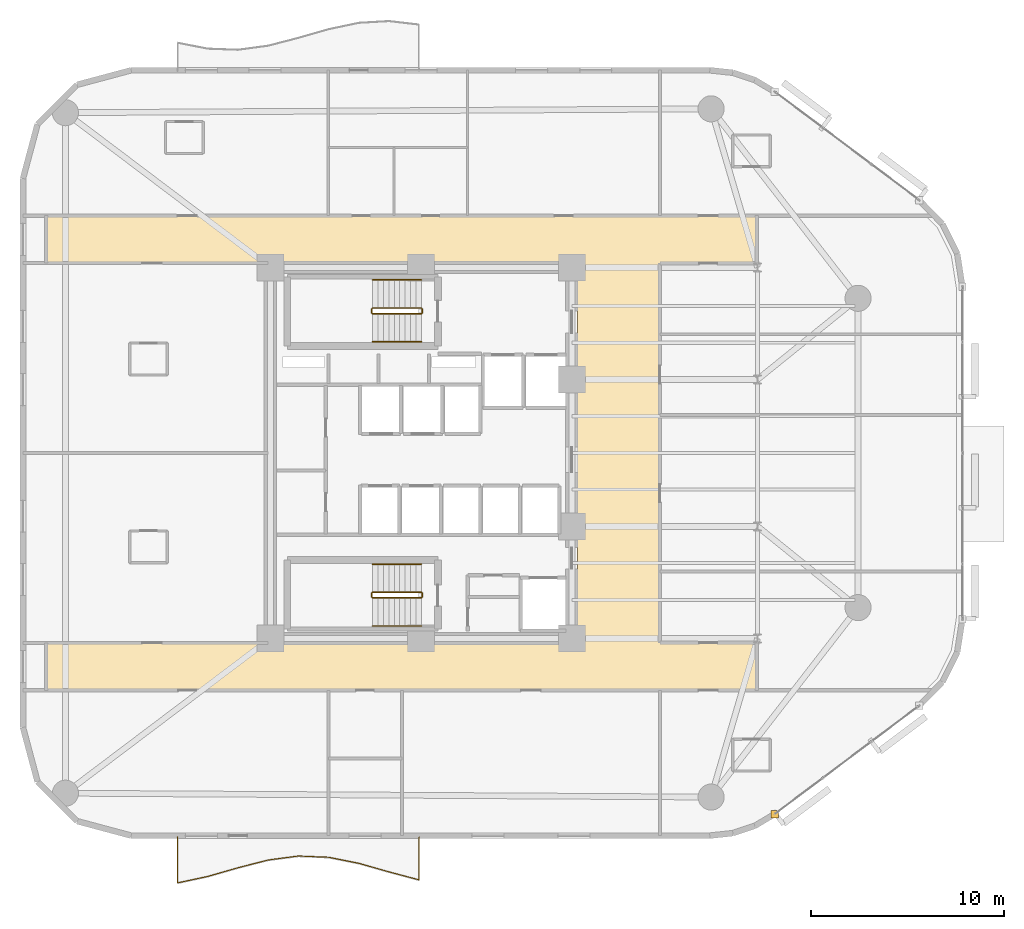
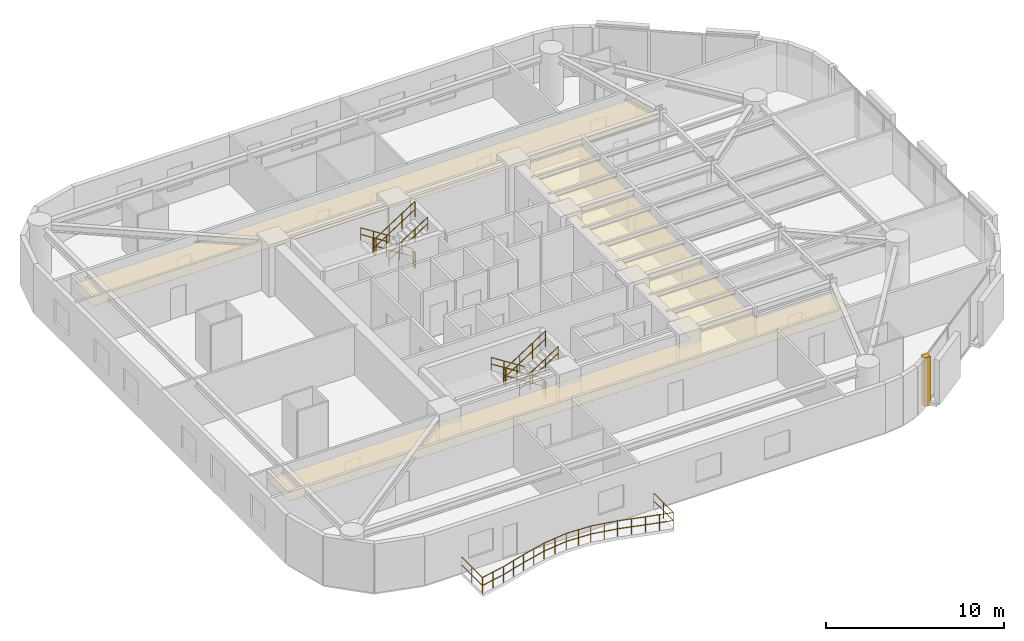
# One storey, part 14 of 15: 13 railings, 2 coverings.
"""IFC4 building model written with IfcOpenShell, lengths in metres."""

from ifc_helpers import new_model, si_unit, direction, frame, origin, origin_2d, place, context, subcontext, project, spatial, polyline, rectangle, circle, outline, extrude, material, layer, layer_set, type_object, element, save


model = new_model("IFC4")

# Units and contexts
model_context = context("Model", 3, precision=1e-05, world=origin(), true_north=direction((0.0, 1.0)))
body_context = subcontext(model_context, "Body", "Model", "MODEL_VIEW")
ifc_project = project(units=[si_unit("LENGTHUNIT", "METRE"), si_unit("AREAUNIT", "SQUARE_METRE"), si_unit("VOLUMEUNIT", "CUBIC_METRE"), si_unit("PLANEANGLEUNIT", "RADIAN"), si_unit("MASSUNIT", "GRAM", prefix="KILO")], contexts=[model_context])

# Site, building, storey
site_placement = place(None, origin())
site = spatial("IfcSite", under=ifc_project, at=site_placement, CompositionType="ELEMENT")
building_placement = place(site_placement, origin())
building = spatial("IfcBuilding", under=site, at=building_placement, Name="An Khanh Terracotta Commons", CompositionType="ELEMENT")
storey_placement = place(building_placement, frame((0.0, 0.0, 129.5)))
storey = spatial("IfcBuildingStorey", under=building, at=storey_placement, Name="L34", CompositionType="ELEMENT", Elevation=129.5)

# Coverings
ifc_material_1 = material(Name="Perforated Mineral-Fibre Acoustic Tile")
ifc_layer_1 = layer(ifc_material_1, 0.02001953125, Name="Perforated Mineral-Fibre Acoustic Tile")
ifc_layer_set_1 = layer_set([ifc_layer_1], Name="Perforated Mineral-Fibre Acoustic Tile")
covering_type_1 = type_object("IfcCoveringType", Name="CEIL-ACOUSTIC-18", PredefinedType="CEILING", material=ifc_layer_set_1)
covering_1_placement = place(storey_placement, frame((0.0, 0.0, 2.64990234375)))
element("IfcCovering", 1, at=covering_1_placement, inside=storey, type_object=covering_type_1, Name="L34 Corridor Ceiling", PredefinedType="CEILING", context=body_context, shape_type="SweptSolid", body=[
    extrude(outline(polyline([(37.5, 14.179931640625), (37.5, 33.820068359375), (10.0, 33.820068359375), (10.0, 36.280029296875), (37.5, 36.280029296875), (41.75, 36.280029296875), (46.75, 36.280029296875), (46.75, 33.820068359375), (41.75, 33.820068359375), (41.75, 14.179931640625), (46.75, 14.179931640625), (46.75, 11.719970703125), (41.75, 11.719970703125), (37.5, 11.719970703125), (10.0, 11.719970703125), (10.0, 14.179931640625), (37.5, 14.179931640625)])), origin(), (0.0, 0.0, 1.0), 0.02001953125),
])
ifc_material_2 = material(Name="Fired Terracotta Rainscreen Cladding", Category="masonry")
ifc_layer_2 = layer(ifc_material_2, 0.080078125, Name="Fired Terracotta Rainscreen Cladding")
ifc_layer_set_2 = layer_set([ifc_layer_2], Name="Fired Terracotta Rainscreen Cladding")
covering_type_2 = type_object("IfcCoveringType", Name="COV-JAMB-TERRA", PredefinedType="CLADDING", material=ifc_layer_set_2)
covering_2_placement = place(storey_placement, frame((47.693115234375, 5.320068359375, 0.0), z_axis=(0.0, 0.0, 1.0), x_axis=(1.0, 0.0, 0.0)))
element("IfcCovering", 2, at=covering_2_placement, inside=storey, type_object=covering_type_2, Name="L34 CW-02 Curtain-Wall Jamb Closure JA", PredefinedType="CLADDING", context=body_context, shape_type="SweptSolid", body=[
    extrude(rectangle(XDim=0.3798828125, YDim=0.3798828125, at=origin_2d()), origin(), (0.0, 0.0, 1.0), 3.360107421875),
])

# Railings
ifc_material_3 = material(Name="Brushed Stainless Steel 316", Category="steel")
railing_type_1 = type_object("IfcRailingType", Name="RAIL-BALUSTRADE-1100", PredefinedType="BALUSTRADE", material=ifc_material_3)
railing_1_placement = place(storey_placement, frame((16.800048828125, 4.139892578125, 0.0)))
element("IfcRailing", 3, at=railing_1_placement, inside=storey, type_object=railing_type_1, Name="L34 S Wave Balcony Guard Balustrade", PredefinedType="BALUSTRADE", context=body_context, shape_type="SweptSolid", body=[
    extrude(circle(Radius=0.02392578125, at=origin_2d()), frame((0.0, 0.0, 1.076171875), z_axis=(0.0, -1.0, 0.0), x_axis=(1.0, 0.0, 0.0)), (0.0, 0.0, 1.0), 2.3798828125),
    extrude(circle(Radius=0.02392578125, at=origin_2d()), frame((0.0, 0.0, 0.52587890625), z_axis=(0.0, -1.0, 0.0), x_axis=(1.0, 0.0, 0.0)), (0.0, 0.0, 1.0), 2.3798828125),
    extrude(circle(Radius=0.02392578125, at=origin_2d()), frame((0.0, -2.3798828125, 1.076171875), z_axis=(0.977797943615, 0.209549949803, 0.0), x_axis=(-0.209549949803, 0.977797943615, 0.0)), (0.0, 0.0, 1.0), 1.598388671875),
    extrude(circle(Radius=0.02392578125, at=origin_2d()), frame((0.0, -2.3798828125, 0.52587890625), z_axis=(0.977797943615, 0.209549949803, 0.0), x_axis=(-0.209549949803, 0.977797943615, 0.0)), (0.0, 0.0, 1.0), 1.598388671875),
    extrude(circle(Radius=0.02392578125, at=origin_2d()), frame((1.56298828125, -2.044921875, 1.076171875), z_axis=(0.961086255424, 0.27624845635, 0.0), x_axis=(-0.27624845635, 0.961086255424, 0.0)), (0.0, 0.0, 1.0), 1.625244140625),
    extrude(circle(Radius=0.02392578125, at=origin_2d()), frame((1.56298828125, -2.044921875, 0.52587890625), z_axis=(0.961086255424, 0.27624845635, 0.0), x_axis=(-0.27624845635, 0.961086255424, 0.0)), (0.0, 0.0, 1.0), 1.625244140625),
    extrude(circle(Radius=0.02392578125, at=origin_2d()), frame((3.125, -1.595947265625, 1.076171875), z_axis=(0.968610642135, 0.248582831151, 0.0), x_axis=(-0.248582831151, 0.968610642135, 0.0)), (0.0, 0.0, 1.0), 1.613525390625),
    extrude(circle(Radius=0.02392578125, at=origin_2d()), frame((3.125, -1.595947265625, 0.52587890625), z_axis=(0.968610642135, 0.248582831151, 0.0), x_axis=(-0.248582831151, 0.968610642135, 0.0)), (0.0, 0.0, 1.0), 1.613525390625),
    extrude(circle(Radius=0.02392578125, at=origin_2d()), frame((4.68798828125, -1.19482421875, 1.076171875), z_axis=(0.991511168272, 0.13002154895, 0.0), x_axis=(-0.13002154895, 0.991511168272, 0.0)), (0.0, 0.0, 1.0), 1.575439453125),
    extrude(circle(Radius=0.02392578125, at=origin_2d()), frame((4.68798828125, -1.19482421875, 0.52587890625), z_axis=(0.991511168272, 0.13002154895, 0.0), x_axis=(-0.13002154895, 0.991511168272, 0.0)), (0.0, 0.0, 1.0), 1.575439453125),
    extrude(circle(Radius=0.02392578125, at=origin_2d()), frame((6.25, -0.989990234375, 1.076171875), z_axis=(0.999137934886, -0.041513697388, 0.0), x_axis=(0.041513697388, 0.999137934886, 0.0)), (0.0, 0.0, 1.0), 1.564453125),
    extrude(circle(Radius=0.02392578125, at=origin_2d()), frame((6.25, -0.989990234375, 0.52587890625), z_axis=(0.999137934886, -0.041513697388, 0.0), x_axis=(0.041513697388, 0.999137934886, 0.0)), (0.0, 0.0, 1.0), 1.564453125),
    extrude(circle(Radius=0.02392578125, at=origin_2d()), frame((7.81298828125, -1.054931640625, 1.076171875), z_axis=(0.980745409162, -0.195290661343, 0.0), x_axis=(0.195290661343, 0.980745409162, 0.0)), (0.0, 0.0, 1.0), 1.5927734375),
    extrude(circle(Radius=0.02392578125, at=origin_2d()), frame((7.81298828125, -1.054931640625, 0.52587890625), z_axis=(0.980745409162, -0.195290661343, 0.0), x_axis=(0.195290661343, 0.980745409162, 0.0)), (0.0, 0.0, 1.0), 1.5927734375),
    extrude(circle(Radius=0.02392578125, at=origin_2d()), frame((9.375, -1.365966796875, 1.076171875), z_axis=(0.961964976531, -0.273172809643, 0.0), x_axis=(0.273172809643, 0.961964976531, 0.0)), (0.0, 0.0, 1.0), 1.624755859375),
    extrude(circle(Radius=0.02392578125, at=origin_2d()), frame((9.375, -1.365966796875, 0.52587890625), z_axis=(0.961964976531, -0.273172809643, 0.0), x_axis=(0.273172809643, 0.961964976531, 0.0)), (0.0, 0.0, 1.0), 1.624755859375),
    extrude(circle(Radius=0.02392578125, at=origin_2d()), frame((10.93798828125, -1.809814453125, 1.076171875), z_axis=(0.966465212691, -0.256797571362, 0.0), x_axis=(0.256797571362, 0.966465212691, 0.0)), (0.0, 0.0, 1.0), 1.6162109375),
    extrude(circle(Radius=0.02392578125, at=origin_2d()), frame((10.93798828125, -1.809814453125, 0.52587890625), z_axis=(0.966465212691, -0.256797571362, 0.0), x_axis=(0.256797571362, 0.966465212691, 0.0)), (0.0, 0.0, 1.0), 1.6162109375),
    extrude(circle(Radius=0.02392578125, at=origin_2d()), frame((12.5, -2.224853515625, 1.076171875), z_axis=(0.0, 1.0, 0.0), x_axis=(-1.0, 0.0, 0.0)), (0.0, 0.0, 1.0), 2.224853515625),
    extrude(circle(Radius=0.02392578125, at=origin_2d()), frame((12.5, -2.224853515625, 0.52587890625), z_axis=(0.0, 1.0, 0.0), x_axis=(-1.0, 0.0, 0.0)), (0.0, 0.0, 1.0), 2.224853515625),
    extrude(circle(Radius=0.02099609375, at=origin_2d()), origin(), (0.0, 0.0, 1.0), 1.052001953125),
    extrude(circle(Radius=0.02099609375, at=origin_2d()), frame((0.0, -1.18994140625, 0.0)), (0.0, 0.0, 1.0), 1.052001953125),
    extrude(circle(Radius=0.02099609375, at=origin_2d()), frame((0.0, -2.3798828125, 0.0)), (0.0, 0.0, 1.0), 1.052001953125),
    extrude(circle(Radius=0.02099609375, at=origin_2d()), frame((0.781494140625, -2.21240234375, 0.0)), (0.0, 0.0, 1.0), 1.052001953125),
    extrude(circle(Radius=0.02099609375, at=origin_2d()), frame((1.56298828125, -2.044921875, 0.0)), (0.0, 0.0, 1.0), 1.052001953125),
    extrude(circle(Radius=0.02099609375, at=origin_2d()), frame((2.343994140625, -1.8203125, 0.0)), (0.0, 0.0, 1.0), 1.052001953125),
    extrude(circle(Radius=0.02099609375, at=origin_2d()), frame((3.125, -1.595947265625, 0.0)), (0.0, 0.0, 1.0), 1.052001953125),
    extrude(circle(Radius=0.02099609375, at=origin_2d()), frame((3.906494140625, -1.3955078125, 0.0)), (0.0, 0.0, 1.0), 1.052001953125),
    extrude(circle(Radius=0.02099609375, at=origin_2d()), frame((4.68798828125, -1.19482421875, 0.0)), (0.0, 0.0, 1.0), 1.052001953125),
    extrude(circle(Radius=0.02099609375, at=origin_2d()), frame((5.468994140625, -1.09228515625, 0.0)), (0.0, 0.0, 1.0), 1.052001953125),
    extrude(circle(Radius=0.02099609375, at=origin_2d()), frame((6.25, -0.989990234375, 0.0)), (0.0, 0.0, 1.0), 1.052001953125),
    extrude(circle(Radius=0.02099609375, at=origin_2d()), frame((7.031494140625, -1.0224609375, 0.0)), (0.0, 0.0, 1.0), 1.052001953125),
    extrude(circle(Radius=0.02099609375, at=origin_2d()), frame((7.81298828125, -1.054931640625, 0.0)), (0.0, 0.0, 1.0), 1.052001953125),
    extrude(circle(Radius=0.02099609375, at=origin_2d()), frame((8.593994140625, -1.21044921875, 0.0)), (0.0, 0.0, 1.0), 1.052001953125),
    extrude(circle(Radius=0.02099609375, at=origin_2d()), frame((9.375, -1.365966796875, 0.0)), (0.0, 0.0, 1.0), 1.052001953125),
    extrude(circle(Radius=0.02099609375, at=origin_2d()), frame((10.156494140625, -1.587890625, 0.0)), (0.0, 0.0, 1.0), 1.052001953125),
    extrude(circle(Radius=0.02099609375, at=origin_2d()), frame((10.93798828125, -1.809814453125, 0.0)), (0.0, 0.0, 1.0), 1.052001953125),
    extrude(circle(Radius=0.02099609375, at=origin_2d()), frame((11.718994140625, -2.017333984375, 0.0)), (0.0, 0.0, 1.0), 1.052001953125),
    extrude(circle(Radius=0.02099609375, at=origin_2d()), frame((12.5, -2.224853515625, 0.0)), (0.0, 0.0, 1.0), 1.052001953125),
    extrude(circle(Radius=0.02099609375, at=origin_2d()), frame((12.5, -1.1123046875, 0.0)), (0.0, 0.0, 1.0), 1.052001953125),
    extrude(circle(Radius=0.02099609375, at=origin_2d()), frame((12.5, 0.0, 0.0)), (0.0, 0.0, 1.0), 1.052001953125),
])
railing_type_2 = type_object("IfcRailingType", Name="RAIL-HANDRAIL-900", PredefinedType="HANDRAIL", material=ifc_material_3)
railing_2_placement = place(storey_placement, frame((29.409912109375, 32.949951171875, 0.179931640625)))
element("IfcRailing", 4, at=railing_2_placement, inside=storey, type_object=railing_type_2, Name="L34 ST-01 stair handrail 1", PredefinedType="HANDRAIL", context=body_context, shape_type="SweptSolid", body=[
    extrude(circle(Radius=0.02392578125, at=origin_2d()), frame((0.0, 0.0, 0.8759765625), z_axis=(-0.841162588446, 0.0, 0.540782303519), x_axis=(0.0, -1.0, 0.0)), (0.0, 0.0, 1.0), 2.995849609375),
    extrude(circle(Radius=0.02392578125, at=origin_2d()), frame((0.0, 0.0, 0.42578125), z_axis=(-0.841162588446, 0.0, 0.540782303519), x_axis=(0.0, -1.0, 0.0)), (0.0, 0.0, 1.0), 2.995849609375),
    extrude(circle(Radius=0.02099609375, at=origin_2d()), origin(), (0.0, 0.0, 1.0), 0.851806640625),
    extrude(circle(Radius=0.02099609375, at=origin_2d()), frame((-0.840087890625, 0.0, 0.5400390625)), (0.0, 0.0, 1.0), 0.851806640625),
    extrude(circle(Radius=0.02099609375, at=origin_2d()), frame((-1.679931640625, 0.0, 1.080078125)), (0.0, 0.0, 1.0), 0.851806640625),
    extrude(circle(Radius=0.02099609375, at=origin_2d()), frame((-2.52001953125, 0.0, 1.6201171875)), (0.0, 0.0, 1.0), 0.851806640625),
])
railing_3_placement = place(storey_placement, frame((26.889892578125, 29.75, 1.97998046875)))
element("IfcRailing", 5, at=railing_3_placement, inside=storey, type_object=railing_type_2, Name="L34 ST-01 stair handrail 2", PredefinedType="HANDRAIL", context=body_context, shape_type="SweptSolid", body=[
    extrude(circle(Radius=0.02392578125, at=origin_2d()), frame((0.0, 0.0, 0.8759765625), z_axis=(0.841162588446, 0.0, 0.540782303519), x_axis=(0.0, 1.0, 0.0)), (0.0, 0.0, 1.0), 2.995849609375),
    extrude(circle(Radius=0.02392578125, at=origin_2d()), frame((0.0, 0.0, 0.42578125), z_axis=(0.841162588446, 0.0, 0.540782303519), x_axis=(0.0, 1.0, 0.0)), (0.0, 0.0, 1.0), 2.995849609375),
    extrude(circle(Radius=0.02099609375, at=origin_2d()), origin(), (0.0, 0.0, 1.0), 0.851806640625),
    extrude(circle(Radius=0.02099609375, at=origin_2d()), frame((0.840087890625, 0.0, 0.5400390625)), (0.0, 0.0, 1.0), 0.851806640625),
    extrude(circle(Radius=0.02099609375, at=origin_2d()), frame((1.679931640625, 0.0, 1.080078125)), (0.0, 0.0, 1.0), 0.851806640625),
    extrude(circle(Radius=0.02099609375, at=origin_2d()), frame((2.52001953125, 0.0, 1.6201171875)), (0.0, 0.0, 1.0), 0.851806640625),
])
railing_4_placement = place(storey_placement, frame((29.409912109375, 18.25, 0.179931640625)))
element("IfcRailing", 6, at=railing_4_placement, inside=storey, type_object=railing_type_2, Name="L34 ST-02 stair handrail 1", PredefinedType="HANDRAIL", context=body_context, shape_type="SweptSolid", body=[
    extrude(circle(Radius=0.02392578125, at=origin_2d()), frame((0.0, 0.0, 0.8759765625), z_axis=(-0.841162588446, 0.0, 0.540782303519), x_axis=(0.0, -1.0, 0.0)), (0.0, 0.0, 1.0), 2.995849609375),
    extrude(circle(Radius=0.02392578125, at=origin_2d()), frame((0.0, 0.0, 0.42578125), z_axis=(-0.841162588446, 0.0, 0.540782303519), x_axis=(0.0, -1.0, 0.0)), (0.0, 0.0, 1.0), 2.995849609375),
    extrude(circle(Radius=0.02099609375, at=origin_2d()), origin(), (0.0, 0.0, 1.0), 0.851806640625),
    extrude(circle(Radius=0.02099609375, at=origin_2d()), frame((-0.840087890625, 0.0, 0.5400390625)), (0.0, 0.0, 1.0), 0.851806640625),
    extrude(circle(Radius=0.02099609375, at=origin_2d()), frame((-1.679931640625, 0.0, 1.080078125)), (0.0, 0.0, 1.0), 0.851806640625),
    extrude(circle(Radius=0.02099609375, at=origin_2d()), frame((-2.52001953125, 0.0, 1.6201171875)), (0.0, 0.0, 1.0), 0.851806640625),
])
railing_5_placement = place(storey_placement, frame((26.889892578125, 15.050048828125, 1.97998046875)))
element("IfcRailing", 7, at=railing_5_placement, inside=storey, type_object=railing_type_2, Name="L34 ST-02 stair handrail 2", PredefinedType="HANDRAIL", context=body_context, shape_type="SweptSolid", body=[
    extrude(circle(Radius=0.02392578125, at=origin_2d()), frame((0.0, 0.0, 0.8759765625), z_axis=(0.841162588446, 0.0, 0.540782303519), x_axis=(0.0, 1.0, 0.0)), (0.0, 0.0, 1.0), 2.995849609375),
    extrude(circle(Radius=0.02392578125, at=origin_2d()), frame((0.0, 0.0, 0.42578125), z_axis=(0.841162588446, 0.0, 0.540782303519), x_axis=(0.0, 1.0, 0.0)), (0.0, 0.0, 1.0), 2.995849609375),
    extrude(circle(Radius=0.02099609375, at=origin_2d()), origin(), (0.0, 0.0, 1.0), 0.851806640625),
    extrude(circle(Radius=0.02099609375, at=origin_2d()), frame((0.840087890625, 0.0, 0.5400390625)), (0.0, 0.0, 1.0), 0.851806640625),
    extrude(circle(Radius=0.02099609375, at=origin_2d()), frame((1.679931640625, 0.0, 1.080078125)), (0.0, 0.0, 1.0), 0.851806640625),
    extrude(circle(Radius=0.02099609375, at=origin_2d()), frame((2.52001953125, 0.0, 1.6201171875)), (0.0, 0.0, 1.0), 0.851806640625),
])
ifc_material_4 = material(Name="Powder-Coated Steel S355J2", Category="steel")
railing_type_3 = type_object("IfcRailingType", Name="RAIL-STAIR-GUARD-1100", PredefinedType="BALUSTRADE", material=ifc_material_4)
railing_6_placement = place(storey_placement, frame((29.409912109375, 31.5, 0.179931640625)))
element("IfcRailing", 8, at=railing_6_placement, inside=storey, type_object=railing_type_3, Name="L34 ST-01 stair guard 1", PredefinedType="BALUSTRADE", context=body_context, shape_type="SweptSolid", body=[
    extrude(circle(Radius=0.02392578125, at=origin_2d()), frame((0.0, 0.0, 1.076171875), z_axis=(-0.841162588446, 0.0, 0.540782303519), x_axis=(0.0, -1.0, 0.0)), (0.0, 0.0, 1.0), 2.995849609375),
    extrude(circle(Radius=0.02392578125, at=origin_2d()), frame((0.0, 0.0, 0.52587890625), z_axis=(-0.841162588446, 0.0, 0.540782303519), x_axis=(0.0, -1.0, 0.0)), (0.0, 0.0, 1.0), 2.995849609375),
    extrude(circle(Radius=0.02099609375, at=origin_2d()), origin(), (0.0, 0.0, 1.0), 1.052001953125),
    extrude(circle(Radius=0.02099609375, at=origin_2d()), frame((-0.840087890625, 0.0, 0.5400390625)), (0.0, 0.0, 1.0), 1.052001953125),
    extrude(circle(Radius=0.02099609375, at=origin_2d()), frame((-1.679931640625, 0.0, 1.080078125)), (0.0, 0.0, 1.0), 1.052001953125),
    extrude(circle(Radius=0.02099609375, at=origin_2d()), frame((-2.52001953125, 0.0, 1.6201171875)), (0.0, 0.0, 1.0), 1.052001953125),
])
railing_7_placement = place(storey_placement, frame((26.840087890625, 31.449951171875, 1.800048828125)))
element("IfcRailing", 9, at=railing_7_placement, inside=storey, type_object=railing_type_3, Name="L34 ST-01 stair guard 2", PredefinedType="BALUSTRADE", context=body_context, shape_type="SweptSolid", body=[
    extrude(circle(Radius=0.02392578125, at=origin_2d()), frame((0.0, 0.0, 1.076171875), z_axis=(0.0, -1.0, 0.0), x_axis=(1.0, 0.0, 0.0)), (0.0, 0.0, 1.0), 0.199951171875),
    extrude(circle(Radius=0.02392578125, at=origin_2d()), frame((0.0, 0.0, 0.52587890625), z_axis=(0.0, -1.0, 0.0), x_axis=(1.0, 0.0, 0.0)), (0.0, 0.0, 1.0), 0.199951171875),
    extrude(circle(Radius=0.02099609375, at=origin_2d()), origin(), (0.0, 0.0, 1.0), 1.052001953125),
    extrude(circle(Radius=0.02099609375, at=origin_2d()), frame((0.0, -0.199951171875, 0.0)), (0.0, 0.0, 1.0), 1.052001953125),
])
railing_8_placement = place(storey_placement, frame((26.889892578125, 31.199951171875, 1.97998046875)))
element("IfcRailing", 10, at=railing_8_placement, inside=storey, type_object=railing_type_3, Name="L34 ST-01 stair guard 3", PredefinedType="BALUSTRADE", context=body_context, shape_type="SweptSolid", body=[
    extrude(circle(Radius=0.02392578125, at=origin_2d()), frame((0.0, 0.0, 1.076171875), z_axis=(0.841162588446, 0.0, 0.540782303519), x_axis=(0.0, 1.0, 0.0)), (0.0, 0.0, 1.0), 2.995849609375),
    extrude(circle(Radius=0.02392578125, at=origin_2d()), frame((0.0, 0.0, 0.52587890625), z_axis=(0.841162588446, 0.0, 0.540782303519), x_axis=(0.0, 1.0, 0.0)), (0.0, 0.0, 1.0), 2.995849609375),
    extrude(circle(Radius=0.02099609375, at=origin_2d()), origin(), (0.0, 0.0, 1.0), 1.052001953125),
    extrude(circle(Radius=0.02099609375, at=origin_2d()), frame((0.840087890625, 0.0, 0.5400390625)), (0.0, 0.0, 1.0), 1.052001953125),
    extrude(circle(Radius=0.02099609375, at=origin_2d()), frame((1.679931640625, 0.0, 1.080078125)), (0.0, 0.0, 1.0), 1.052001953125),
    extrude(circle(Radius=0.02099609375, at=origin_2d()), frame((2.52001953125, 0.0, 1.6201171875)), (0.0, 0.0, 1.0), 1.052001953125),
])
railing_9_placement = place(storey_placement, frame((29.4599609375, 31.449951171875, 0.0)))
element("IfcRailing", 11, at=railing_9_placement, inside=storey, type_object=railing_type_3, Name="L34 ST-01 stair guard 4", PredefinedType="BALUSTRADE", context=body_context, shape_type="SweptSolid", body=[
    extrude(circle(Radius=0.02392578125, at=origin_2d()), frame((0.0, 0.0, 1.076171875), z_axis=(0.0, -1.0, 0.0), x_axis=(1.0, 0.0, 0.0)), (0.0, 0.0, 1.0), 0.199951171875),
    extrude(circle(Radius=0.02392578125, at=origin_2d()), frame((0.0, 0.0, 0.52587890625), z_axis=(0.0, -1.0, 0.0), x_axis=(1.0, 0.0, 0.0)), (0.0, 0.0, 1.0), 0.199951171875),
    extrude(circle(Radius=0.02099609375, at=origin_2d()), origin(), (0.0, 0.0, 1.0), 1.052001953125),
    extrude(circle(Radius=0.02099609375, at=origin_2d()), frame((0.0, -0.199951171875, 0.0)), (0.0, 0.0, 1.0), 1.052001953125),
])
railing_10_placement = place(storey_placement, frame((29.409912109375, 16.800048828125, 0.179931640625)))
element("IfcRailing", 12, at=railing_10_placement, inside=storey, type_object=railing_type_3, Name="L34 ST-02 stair guard 1", PredefinedType="BALUSTRADE", context=body_context, shape_type="SweptSolid", body=[
    extrude(circle(Radius=0.02392578125, at=origin_2d()), frame((0.0, 0.0, 1.076171875), z_axis=(-0.841162588446, 0.0, 0.540782303519), x_axis=(0.0, -1.0, 0.0)), (0.0, 0.0, 1.0), 2.995849609375),
    extrude(circle(Radius=0.02392578125, at=origin_2d()), frame((0.0, 0.0, 0.52587890625), z_axis=(-0.841162588446, 0.0, 0.540782303519), x_axis=(0.0, -1.0, 0.0)), (0.0, 0.0, 1.0), 2.995849609375),
    extrude(circle(Radius=0.02099609375, at=origin_2d()), origin(), (0.0, 0.0, 1.0), 1.052001953125),
    extrude(circle(Radius=0.02099609375, at=origin_2d()), frame((-0.840087890625, 0.0, 0.5400390625)), (0.0, 0.0, 1.0), 1.052001953125),
    extrude(circle(Radius=0.02099609375, at=origin_2d()), frame((-1.679931640625, 0.0, 1.080078125)), (0.0, 0.0, 1.0), 1.052001953125),
    extrude(circle(Radius=0.02099609375, at=origin_2d()), frame((-2.52001953125, 0.0, 1.6201171875)), (0.0, 0.0, 1.0), 1.052001953125),
])
railing_11_placement = place(storey_placement, frame((26.840087890625, 16.75, 1.800048828125)))
element("IfcRailing", 13, at=railing_11_placement, inside=storey, type_object=railing_type_3, Name="L34 ST-02 stair guard 2", PredefinedType="BALUSTRADE", context=body_context, shape_type="SweptSolid", body=[
    extrude(circle(Radius=0.02392578125, at=origin_2d()), frame((0.0, 0.0, 1.076171875), z_axis=(0.0, -1.0, 0.0), x_axis=(1.0, 0.0, 0.0)), (0.0, 0.0, 1.0), 0.199951171875),
    extrude(circle(Radius=0.02392578125, at=origin_2d()), frame((0.0, 0.0, 0.52587890625), z_axis=(0.0, -1.0, 0.0), x_axis=(1.0, 0.0, 0.0)), (0.0, 0.0, 1.0), 0.199951171875),
    extrude(circle(Radius=0.02099609375, at=origin_2d()), origin(), (0.0, 0.0, 1.0), 1.052001953125),
    extrude(circle(Radius=0.02099609375, at=origin_2d()), frame((0.0, -0.199951171875, 0.0)), (0.0, 0.0, 1.0), 1.052001953125),
])
railing_12_placement = place(storey_placement, frame((26.889892578125, 16.5, 1.97998046875)))
element("IfcRailing", 14, at=railing_12_placement, inside=storey, type_object=railing_type_3, Name="L34 ST-02 stair guard 3", PredefinedType="BALUSTRADE", context=body_context, shape_type="SweptSolid", body=[
    extrude(circle(Radius=0.02392578125, at=origin_2d()), frame((0.0, 0.0, 1.076171875), z_axis=(0.841162588446, 0.0, 0.540782303519), x_axis=(0.0, 1.0, 0.0)), (0.0, 0.0, 1.0), 2.995849609375),
    extrude(circle(Radius=0.02392578125, at=origin_2d()), frame((0.0, 0.0, 0.52587890625), z_axis=(0.841162588446, 0.0, 0.540782303519), x_axis=(0.0, 1.0, 0.0)), (0.0, 0.0, 1.0), 2.995849609375),
    extrude(circle(Radius=0.02099609375, at=origin_2d()), origin(), (0.0, 0.0, 1.0), 1.052001953125),
    extrude(circle(Radius=0.02099609375, at=origin_2d()), frame((0.840087890625, 0.0, 0.5400390625)), (0.0, 0.0, 1.0), 1.052001953125),
    extrude(circle(Radius=0.02099609375, at=origin_2d()), frame((1.679931640625, 0.0, 1.080078125)), (0.0, 0.0, 1.0), 1.052001953125),
    extrude(circle(Radius=0.02099609375, at=origin_2d()), frame((2.52001953125, 0.0, 1.6201171875)), (0.0, 0.0, 1.0), 1.052001953125),
])
railing_13_placement = place(storey_placement, frame((29.4599609375, 16.75, 0.0)))
element("IfcRailing", 15, at=railing_13_placement, inside=storey, type_object=railing_type_3, Name="L34 ST-02 stair guard 4", PredefinedType="BALUSTRADE", context=body_context, shape_type="SweptSolid", body=[
    extrude(circle(Radius=0.02392578125, at=origin_2d()), frame((0.0, 0.0, 1.076171875), z_axis=(0.0, -1.0, 0.0), x_axis=(1.0, 0.0, 0.0)), (0.0, 0.0, 1.0), 0.199951171875),
    extrude(circle(Radius=0.02392578125, at=origin_2d()), frame((0.0, 0.0, 0.52587890625), z_axis=(0.0, -1.0, 0.0), x_axis=(1.0, 0.0, 0.0)), (0.0, 0.0, 1.0), 0.199951171875),
    extrude(circle(Radius=0.02099609375, at=origin_2d()), origin(), (0.0, 0.0, 1.0), 1.052001953125),
    extrude(circle(Radius=0.02099609375, at=origin_2d()), frame((0.0, -0.199951171875, 0.0)), (0.0, 0.0, 1.0), 1.052001953125),
])

save(model, "model.ifc")
